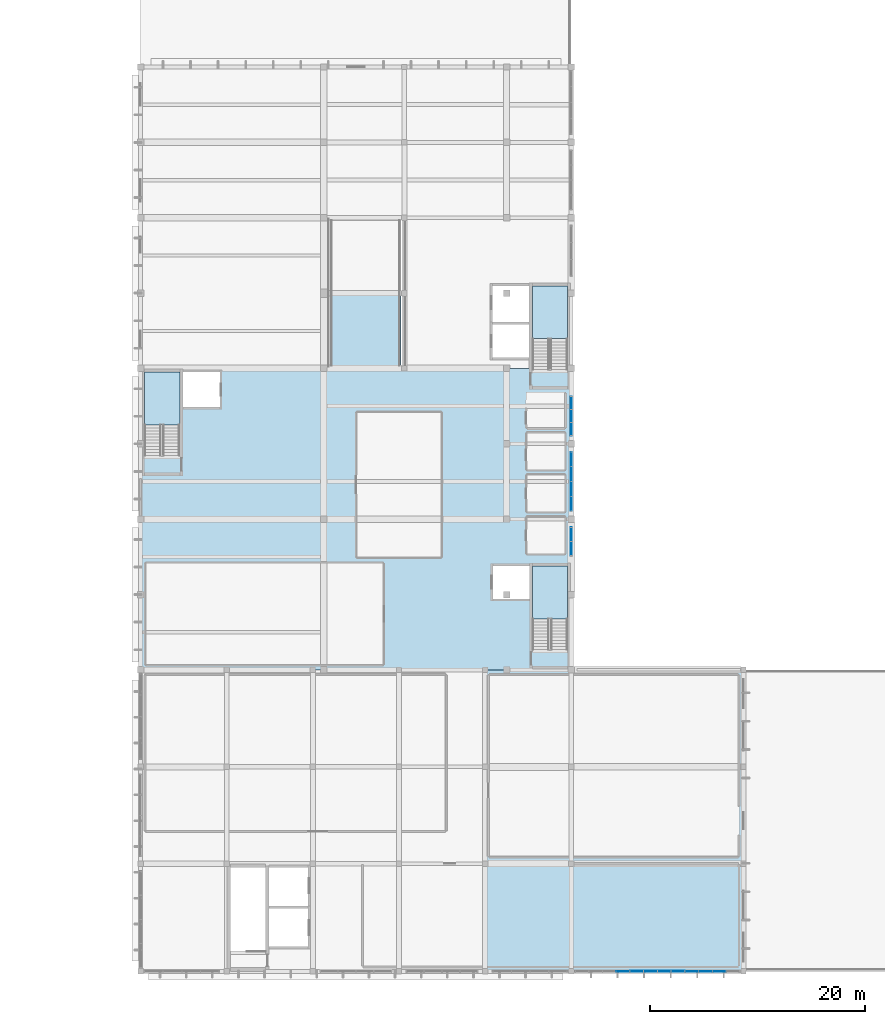
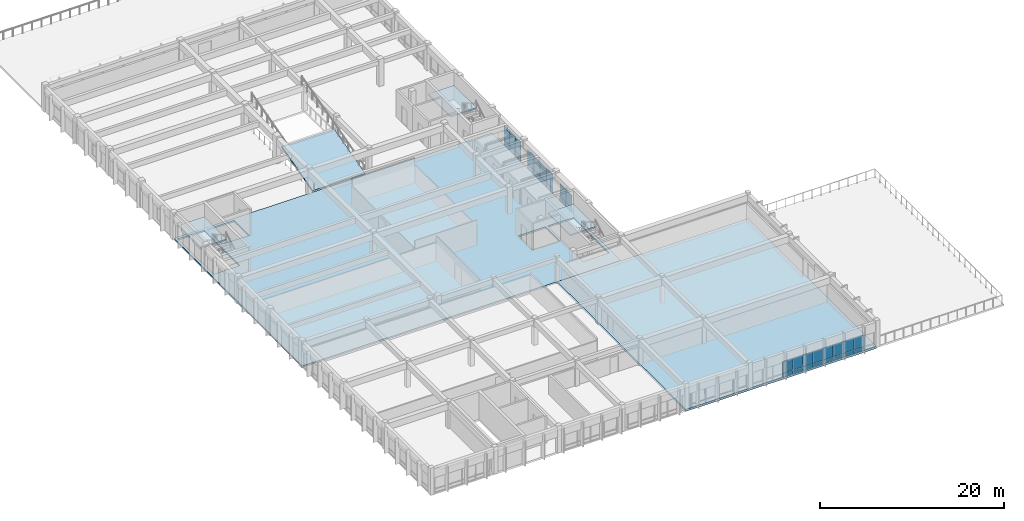
# One storey, part 18 of 33: 34 plates, 6 slabs, 9 elements without a shape of their own.
"""IFC4 building model written with IfcOpenShell, lengths in metres."""

from ifc_helpers import new_model, si_unit, direction, frame, origin, origin_2d, place, context, subcontext, project, spatial, polyline, rectangle, outline, extrude, material, layer, layer_set, type_object, element, aggregate, save


model = new_model("IFC4")

# Units and contexts
model_context = context("Model", 3, precision=1e-05, world=origin(), true_north=direction((0.0, 1.0)))
body_context = subcontext(model_context, "Body", "Model", "MODEL_VIEW")
ifc_project = project(units=[si_unit("LENGTHUNIT", "METRE"), si_unit("AREAUNIT", "SQUARE_METRE"), si_unit("VOLUMEUNIT", "CUBIC_METRE"), si_unit("PLANEANGLEUNIT", "RADIAN"), si_unit("MASSUNIT", "GRAM", prefix="KILO")], contexts=[model_context])

# Site, building, storey
site_placement = place(None, origin())
site = spatial("IfcSite", under=ifc_project, at=site_placement, CompositionType="ELEMENT")
building_placement = place(site_placement, origin())
building = spatial("IfcBuilding", under=site, at=building_placement, Name="Larkveld Mobility Hub", CompositionType="ELEMENT")
storey_placement = place(building_placement, frame((0.0, 0.0, 15.60009765625)))
storey = spatial("IfcBuildingStorey", under=building, at=storey_placement, Name="L04", CompositionType="ELEMENT", Elevation=15.60009765625)

# Curtain wall, plates
ifc_material_1 = material(Name="Anodised aluminium 6063-T6", Category="aluminium")
curtain_wall_type_1 = type_object("IfcCurtainWallType", Name="CW-SYS-10", PredefinedType="NOTDEFINED", material=ifc_material_1)
curtain_wall_1_placement = place(storey_placement, origin())
curtain_wall_1 = element("IfcCurtainWall", 1, at=curtain_wall_1_placement, inside=storey, type_object=curtain_wall_type_1, Name="Service Wing South Glazing L04 CW-130", PredefinedType="NOTDEFINED")
ifc_material_2 = material(Name="Low-E laminated solar-control double glazing", Category="glass")
ifc_layer_1 = layer(ifc_material_2, 0.028076171875, Name="Low-E laminated solar-control double glazing", Category="glass")
ifc_layer_set_1 = layer_set([ifc_layer_1], Name="Low-E laminated solar-control double glazing")
plate_type_1 = type_object("IfcPlateType", Name="CW-PNL-GL01", PredefinedType="CURTAIN_PANEL", material=ifc_layer_set_1)
plate_1_placement = place(storey_placement, frame((158.097900390625, 0.0, 0.5263671875), z_axis=(0.0, 0.0, 1.0), x_axis=(1.0, 0.0, 0.0)))
plate_1 = element("IfcPlate", 2, at=plate_1_placement, type_object=plate_type_1, Name="CW10 panel 1", PredefinedType="CURTAIN_PANEL", context=body_context, shape_type="SweptSolid", body=[
    extrude(rectangle(XDim=1.2451171875, YDim=0.028076171875, at=origin_2d()), origin(), (0.0, 0.0, 1.0), 1.551025390625),
])
plate_2_placement = place(storey_placement, frame((159.363037109375, 0.0, 0.5263671875), z_axis=(0.0, 0.0, 1.0), x_axis=(1.0, 0.0, 0.0)))
plate_2 = element("IfcPlate", 3, at=plate_2_placement, type_object=plate_type_1, Name="CW10 panel 2", PredefinedType="CURTAIN_PANEL", context=body_context, shape_type="SweptSolid", body=[
    extrude(rectangle(XDim=1.264892578125, YDim=0.028076171875, at=origin_2d()), origin(), (0.0, 0.0, 1.0), 1.551025390625),
])
plate_3_placement = place(storey_placement, frame((160.636962890625, 0.0, 0.5263671875), z_axis=(0.0, 0.0, 1.0), x_axis=(1.0, 0.0, 0.0)))
plate_3 = element("IfcPlate", 4, at=plate_3_placement, type_object=plate_type_1, Name="CW10 panel 3", PredefinedType="CURTAIN_PANEL", context=body_context, shape_type="SweptSolid", body=[
    extrude(rectangle(XDim=1.264892578125, YDim=0.028076171875, at=origin_2d()), origin(), (0.0, 0.0, 1.0), 1.551025390625),
])
plate_4_placement = place(storey_placement, frame((161.902099609375, 0.0, 0.5263671875), z_axis=(0.0, 0.0, 1.0), x_axis=(1.0, 0.0, 0.0)))
plate_4 = element("IfcPlate", 5, at=plate_4_placement, type_object=plate_type_1, Name="CW10 panel 4", PredefinedType="CURTAIN_PANEL", context=body_context, shape_type="SweptSolid", body=[
    extrude(rectangle(XDim=1.2451171875, YDim=0.028076171875, at=origin_2d()), origin(), (0.0, 0.0, 1.0), 1.551025390625),
])

curtain_wall_type_2 = type_object("IfcCurtainWallType", Name="CW-SYS-01", PredefinedType="NOTDEFINED", material=ifc_material_1)
curtain_wall_2_placement = place(storey_placement, origin())
curtain_wall_2 = element("IfcCurtainWall", 6, at=curtain_wall_2_placement, inside=storey, type_object=curtain_wall_type_2, Name="Upper Mobility and Sports East Glazing L04 CW-157", PredefinedType="NOTDEFINED")
plate_5_placement = place(storey_placement, frame((152.0, 50.364013671875, 0.6640625), z_axis=(0.0, 0.0, 1.0), x_axis=(0.0, 1.0, 0.0)))
plate_5 = element("IfcPlate", 7, at=plate_5_placement, type_object=plate_type_1, Name="CW01 panel 1", PredefinedType="CURTAIN_PANEL", context=body_context, shape_type="SweptSolid", body=[
    extrude(rectangle(XDim=1.197021484375, YDim=0.028076171875, at=origin_2d()), origin(), (0.0, 0.0, 1.0), 1.964111328125),
])
plate_6_placement = place(storey_placement, frame((152.0, 51.580078125, 0.6640625), z_axis=(0.0, 0.0, 1.0), x_axis=(0.0, 1.0, 0.0)))
plate_6 = element("IfcPlate", 8, at=plate_6_placement, type_object=plate_type_1, Name="CW01 panel 2", PredefinedType="CURTAIN_PANEL", context=body_context, shape_type="SweptSolid", body=[
    extrude(rectangle(XDim=1.217041015625, YDim=0.028076171875, at=origin_2d()), origin(), (0.0, 0.0, 1.0), 1.964111328125),
])
plate_7_placement = place(storey_placement, frame((152.0, 52.7958984375, 0.6640625), z_axis=(0.0, 0.0, 1.0), x_axis=(0.0, 1.0, 0.0)))
plate_7 = element("IfcPlate", 9, at=plate_7_placement, type_object=plate_type_1, Name="CW01 panel 3", PredefinedType="CURTAIN_PANEL", context=body_context, shape_type="SweptSolid", body=[
    extrude(rectangle(XDim=1.197021484375, YDim=0.028076171875, at=origin_2d()), origin(), (0.0, 0.0, 1.0), 1.964111328125),
])

curtain_wall_type_3 = type_object("IfcCurtainWallType", Name="CW-SYS-11", PredefinedType="NOTDEFINED", material=ifc_material_1)
curtain_wall_3_placement = place(storey_placement, origin())
curtain_wall_3 = element("IfcCurtainWall", 10, at=curtain_wall_3_placement, inside=storey, type_object=curtain_wall_type_3, Name="Service Wing South Glazing L04 CW-131", PredefinedType="NOTDEFINED")
ifc_material_3 = material(Name="Acoustic solar-control laminated double glazing", Category="glass")
ifc_layer_2 = layer(ifc_material_3, 0.031982421875, Name="Acoustic solar-control laminated double glazing", Category="glass")
ifc_layer_set_2 = layer_set([ifc_layer_2], Name="Acoustic solar-control laminated double glazing")
plate_type_2 = type_object("IfcPlateType", Name="CW-PNL-GL02", PredefinedType="CURTAIN_PANEL", material=ifc_layer_set_2)
plate_8_placement = place(storey_placement, frame((163.197021484375, 0.0, 0.5263671875), z_axis=(0.0, 0.0, 1.0), x_axis=(1.0, 0.0, 0.0)))
plate_8 = element("IfcPlate", 11, at=plate_8_placement, type_object=plate_type_2, Name="CW11 panel 1", PredefinedType="CURTAIN_PANEL", context=body_context, shape_type="SweptSolid", body=[
    extrude(rectangle(XDim=1.2451171875, YDim=0.031982421875, at=origin_2d()), origin(), (0.0, 0.0, 1.0), 1.551025390625),
])
plate_9_placement = place(storey_placement, frame((164.462890625, 0.0, 0.5263671875), z_axis=(0.0, 0.0, 1.0), x_axis=(1.0, 0.0, 0.0)))
plate_9 = element("IfcPlate", 12, at=plate_9_placement, type_object=plate_type_2, Name="CW11 panel 2", PredefinedType="CURTAIN_PANEL", context=body_context, shape_type="SweptSolid", body=[
    extrude(rectangle(XDim=1.264892578125, YDim=0.031982421875, at=origin_2d()), origin(), (0.0, 0.0, 1.0), 1.551025390625),
])
plate_10_placement = place(storey_placement, frame((165.738037109375, 0.0, 0.5263671875), z_axis=(0.0, 0.0, 1.0), x_axis=(1.0, 0.0, 0.0)))
plate_10 = element("IfcPlate", 13, at=plate_10_placement, type_object=plate_type_2, Name="CW11 panel 3", PredefinedType="CURTAIN_PANEL", context=body_context, shape_type="SweptSolid", body=[
    extrude(rectangle(XDim=1.264892578125, YDim=0.031982421875, at=origin_2d()), origin(), (0.0, 0.0, 1.0), 1.551025390625),
])

curtain_wall_4_placement = place(storey_placement, origin())
curtain_wall_4 = element("IfcCurtainWall", 14, at=curtain_wall_4_placement, inside=storey, type_object=curtain_wall_type_3, Name="Upper Mobility and Sports East Glazing L04 CW-155", PredefinedType="NOTDEFINED")
plate_11_placement = place(storey_placement, frame((152.0, 39.260009765625, 0.564453125), z_axis=(0.0, 0.0, 1.0), x_axis=(0.0, 1.0, 0.0)))
plate_11 = element("IfcPlate", 15, at=plate_11_placement, type_object=plate_type_2, Name="CW11 panel 1", PredefinedType="CURTAIN_PANEL", context=body_context, shape_type="SweptSolid", body=[
    extrude(rectangle(XDim=1.31005859375, YDim=0.031982421875, at=origin_2d()), origin(), (0.0, 0.0, 1.0), 1.6630859375),
])
plate_12_placement = place(storey_placement, frame((152.0, 40.580078125, 0.564453125), z_axis=(0.0, 0.0, 1.0), x_axis=(0.0, 1.0, 0.0)))
plate_12 = element("IfcPlate", 16, at=plate_12_placement, type_object=plate_type_2, Name="CW11 panel 2", PredefinedType="CURTAIN_PANEL", context=body_context, shape_type="SweptSolid", body=[
    extrude(rectangle(XDim=1.31005859375, YDim=0.031982421875, at=origin_2d()), origin(), (0.0, 0.0, 1.0), 1.6630859375),
])

# Curtain wall, plate
curtain_wall_type_4 = type_object("IfcCurtainWallType", Name="CW-SYS-09", PredefinedType="NOTDEFINED", material=ifc_material_1)
curtain_wall_5_placement = place(storey_placement, origin())
curtain_wall_5 = element("IfcCurtainWall", 17, at=curtain_wall_5_placement, inside=storey, type_object=curtain_wall_type_4, Name="Service Wing South Glazing L04 CW-129", PredefinedType="NOTDEFINED")
ifc_material_4 = material(Name="Tinted safety double glazing", Category="glass")
ifc_layer_3 = layer(ifc_material_4, 0.035888671875, Name="Tinted safety double glazing", Category="glass")
ifc_layer_set_3 = layer_set([ifc_layer_3], Name="Tinted safety double glazing")
plate_type_3 = type_object("IfcPlateType", Name="CW-PNL-GL03", PredefinedType="CURTAIN_PANEL", material=ifc_layer_set_3)
plate_13_placement = place(storey_placement, frame((156.802978515625, 0.0, 0.5263671875), z_axis=(0.0, 0.0, 1.0), x_axis=(1.0, 0.0, 0.0)))
plate_13 = element("IfcPlate", 18, at=plate_13_placement, type_object=plate_type_3, Name="CW09 panel 4", PredefinedType="CURTAIN_PANEL", context=body_context, shape_type="SweptSolid", body=[
    extrude(rectangle(XDim=1.2451171875, YDim=0.035888671875, at=origin_2d()), origin(), (0.0, 0.0, 1.0), 1.551025390625),
])

# Curtain wall, plates
curtain_wall_type_5 = type_object("IfcCurtainWallType", Name="CW-SYS-12", PredefinedType="NOTDEFINED", material=ifc_material_1)
curtain_wall_6_placement = place(storey_placement, origin())
curtain_wall_6 = element("IfcCurtainWall", 19, at=curtain_wall_6_placement, inside=storey, type_object=curtain_wall_type_5, Name="Upper Mobility and Sports East Glazing L04 CW-156", PredefinedType="NOTDEFINED")
plate_14_placement = place(storey_placement, frame((152.0, 43.43994140625, 0.62646484375), z_axis=(0.0, 0.0, 1.0), x_axis=(0.0, 1.0, 0.0)))
plate_14 = element("IfcPlate", 20, at=plate_14_placement, type_object=plate_type_3, Name="CW12 panel 1", PredefinedType="CURTAIN_PANEL", context=body_context, shape_type="SweptSolid", body=[
    extrude(rectangle(XDim=1.35009765625, YDim=0.035888671875, at=origin_2d()), origin(), (0.0, 0.0, 1.0), 1.85107421875),
])
plate_15_placement = place(storey_placement, frame((152.0, 44.81005859375, 0.62646484375), z_axis=(0.0, 0.0, 1.0), x_axis=(0.0, 1.0, 0.0)))
plate_15 = element("IfcPlate", 21, at=plate_15_placement, type_object=plate_type_3, Name="CW12 panel 2", PredefinedType="CURTAIN_PANEL", context=body_context, shape_type="SweptSolid", body=[
    extrude(rectangle(XDim=1.3701171875, YDim=0.035888671875, at=origin_2d()), origin(), (0.0, 0.0, 1.0), 1.85107421875),
])
plate_16_placement = place(storey_placement, frame((152.0, 46.18994140625, 0.62646484375), z_axis=(0.0, 0.0, 1.0), x_axis=(0.0, 1.0, 0.0)))
plate_16 = element("IfcPlate", 22, at=plate_16_placement, type_object=plate_type_3, Name="CW12 panel 3", PredefinedType="CURTAIN_PANEL", context=body_context, shape_type="SweptSolid", body=[
    extrude(rectangle(XDim=1.3701171875, YDim=0.035888671875, at=origin_2d()), origin(), (0.0, 0.0, 1.0), 1.85107421875),
])
plate_17_placement = place(storey_placement, frame((152.0, 47.56005859375, 0.62646484375), z_axis=(0.0, 0.0, 1.0), x_axis=(0.0, 1.0, 0.0)))
plate_17 = element("IfcPlate", 23, at=plate_17_placement, type_object=plate_type_3, Name="CW12 panel 4", PredefinedType="CURTAIN_PANEL", context=body_context, shape_type="SweptSolid", body=[
    extrude(rectangle(XDim=1.35009765625, YDim=0.035888671875, at=origin_2d()), origin(), (0.0, 0.0, 1.0), 1.85107421875),
])

# Plate
ifc_material_5 = material(Name="Insulated fluoropolymer aluminium spandrel", Category="aluminium")
ifc_layer_4 = layer(ifc_material_5, 0.06494140625, Name="Insulated fluoropolymer aluminium spandrel", Category="aluminium")
ifc_layer_set_4 = layer_set([ifc_layer_4], Name="Insulated fluoropolymer aluminium spandrel")
plate_type_4 = type_object("IfcPlateType", Name="CW-PNL-SP01", PredefinedType="CURTAIN_PANEL", material=ifc_layer_set_4)
plate_18_placement = place(storey_placement, frame((156.802978515625, 0.0, -0.00048828125), z_axis=(0.0, 0.0, 1.0), x_axis=(1.0, 0.0, 0.0)))
plate_18 = element("IfcPlate", 24, at=plate_18_placement, type_object=plate_type_4, Name="CW09 spandrel 4", PredefinedType="CURTAIN_PANEL", context=body_context, shape_type="SweptSolid", body=[
    extrude(rectangle(XDim=1.2451171875, YDim=0.06494140625, at=origin_2d()), origin(), (0.0, 0.0, 1.0), 0.514892578125),
])

aggregate(curtain_wall_5, [plate_18, plate_13])

plate_19_placement = place(storey_placement, frame((163.197021484375, 0.0, -0.00048828125), z_axis=(0.0, 0.0, 1.0), x_axis=(1.0, 0.0, 0.0)))
plate_19 = element("IfcPlate", 25, at=plate_19_placement, type_object=plate_type_4, Name="CW11 spandrel 1", PredefinedType="CURTAIN_PANEL", context=body_context, shape_type="SweptSolid", body=[
    extrude(rectangle(XDim=1.2451171875, YDim=0.06494140625, at=origin_2d()), origin(), (0.0, 0.0, 1.0), 0.514892578125),
])

plate_20_placement = place(storey_placement, frame((164.462890625, 0.0, -0.00048828125), z_axis=(0.0, 0.0, 1.0), x_axis=(1.0, 0.0, 0.0)))
plate_20 = element("IfcPlate", 26, at=plate_20_placement, type_object=plate_type_4, Name="CW11 spandrel 2", PredefinedType="CURTAIN_PANEL", context=body_context, shape_type="SweptSolid", body=[
    extrude(rectangle(XDim=1.264892578125, YDim=0.06494140625, at=origin_2d()), origin(), (0.0, 0.0, 1.0), 0.514892578125),
])

plate_21_placement = place(storey_placement, frame((165.738037109375, 0.0, -0.00048828125), z_axis=(0.0, 0.0, 1.0), x_axis=(1.0, 0.0, 0.0)))
plate_21 = element("IfcPlate", 27, at=plate_21_placement, type_object=plate_type_4, Name="CW11 spandrel 3", PredefinedType="CURTAIN_PANEL", context=body_context, shape_type="SweptSolid", body=[
    extrude(rectangle(XDim=1.264892578125, YDim=0.06494140625, at=origin_2d()), origin(), (0.0, 0.0, 1.0), 0.514892578125),
])

aggregate(curtain_wall_3, [plate_19, plate_8, plate_20, plate_9, plate_21, plate_10])

plate_22_placement = place(storey_placement, frame((152.0, 39.260009765625, 0.0), z_axis=(0.0, 0.0, 1.0), x_axis=(0.0, 1.0, 0.0)))
plate_22 = element("IfcPlate", 28, at=plate_22_placement, type_object=plate_type_4, Name="CW11 spandrel 1", PredefinedType="CURTAIN_PANEL", context=body_context, shape_type="SweptSolid", body=[
    extrude(rectangle(XDim=1.31005859375, YDim=0.06494140625, at=origin_2d()), origin(), (0.0, 0.0, 1.0), 0.552001953125),
])

plate_23_placement = place(storey_placement, frame((152.0, 40.580078125, 0.0), z_axis=(0.0, 0.0, 1.0), x_axis=(0.0, 1.0, 0.0)))
plate_23 = element("IfcPlate", 29, at=plate_23_placement, type_object=plate_type_4, Name="CW11 spandrel 2", PredefinedType="CURTAIN_PANEL", context=body_context, shape_type="SweptSolid", body=[
    extrude(rectangle(XDim=1.31005859375, YDim=0.06494140625, at=origin_2d()), origin(), (0.0, 0.0, 1.0), 0.552001953125),
])

aggregate(curtain_wall_4, [plate_22, plate_11, plate_23, plate_12])

plate_24_placement = place(storey_placement, frame((152.0, 50.364013671875, 0.0), z_axis=(0.0, 0.0, 1.0), x_axis=(0.0, 1.0, 0.0)))
plate_24 = element("IfcPlate", 30, at=plate_24_placement, type_object=plate_type_4, Name="CW01 spandrel 1", PredefinedType="CURTAIN_PANEL", context=body_context, shape_type="SweptSolid", body=[
    extrude(rectangle(XDim=1.197021484375, YDim=0.06494140625, at=origin_2d()), origin(), (0.0, 0.0, 1.0), 0.652099609375),
])

plate_25_placement = place(storey_placement, frame((152.0, 51.580078125, 0.0), z_axis=(0.0, 0.0, 1.0), x_axis=(0.0, 1.0, 0.0)))
plate_25 = element("IfcPlate", 31, at=plate_25_placement, type_object=plate_type_4, Name="CW01 spandrel 2", PredefinedType="CURTAIN_PANEL", context=body_context, shape_type="SweptSolid", body=[
    extrude(rectangle(XDim=1.217041015625, YDim=0.06494140625, at=origin_2d()), origin(), (0.0, 0.0, 1.0), 0.652099609375),
])

plate_26_placement = place(storey_placement, frame((152.0, 52.7958984375, 0.0), z_axis=(0.0, 0.0, 1.0), x_axis=(0.0, 1.0, 0.0)))
plate_26 = element("IfcPlate", 32, at=plate_26_placement, type_object=plate_type_4, Name="CW01 spandrel 3", PredefinedType="CURTAIN_PANEL", context=body_context, shape_type="SweptSolid", body=[
    extrude(rectangle(XDim=1.197021484375, YDim=0.06494140625, at=origin_2d()), origin(), (0.0, 0.0, 1.0), 0.652099609375),
])

aggregate(curtain_wall_2, [plate_24, plate_5, plate_25, plate_6, plate_26, plate_7])

ifc_material_6 = material(Name="Insulated terracotta-toned aluminium spandrel", Category="masonry")
ifc_layer_5 = layer(ifc_material_6, 0.080078125, Name="Insulated terracotta-toned aluminium spandrel", Category="masonry")
ifc_layer_set_5 = layer_set([ifc_layer_5], Name="Insulated terracotta-toned aluminium spandrel")
plate_type_5 = type_object("IfcPlateType", Name="CW-PNL-SP02", PredefinedType="CURTAIN_PANEL", material=ifc_layer_set_5)
plate_27_placement = place(storey_placement, frame((158.097900390625, 0.0, -0.00048828125), z_axis=(0.0, 0.0, 1.0), x_axis=(1.0, 0.0, 0.0)))
plate_27 = element("IfcPlate", 33, at=plate_27_placement, type_object=plate_type_5, Name="CW10 spandrel 1", PredefinedType="CURTAIN_PANEL", context=body_context, shape_type="SweptSolid", body=[
    extrude(rectangle(XDim=1.2451171875, YDim=0.080078125, at=origin_2d()), origin(), (0.0, 0.0, 1.0), 0.514892578125),
])

plate_28_placement = place(storey_placement, frame((159.363037109375, 0.0, -0.00048828125), z_axis=(0.0, 0.0, 1.0), x_axis=(1.0, 0.0, 0.0)))
plate_28 = element("IfcPlate", 34, at=plate_28_placement, type_object=plate_type_5, Name="CW10 spandrel 2", PredefinedType="CURTAIN_PANEL", context=body_context, shape_type="SweptSolid", body=[
    extrude(rectangle(XDim=1.264892578125, YDim=0.080078125, at=origin_2d()), origin(), (0.0, 0.0, 1.0), 0.514892578125),
])

plate_29_placement = place(storey_placement, frame((160.636962890625, 0.0, -0.00048828125), z_axis=(0.0, 0.0, 1.0), x_axis=(1.0, 0.0, 0.0)))
plate_29 = element("IfcPlate", 35, at=plate_29_placement, type_object=plate_type_5, Name="CW10 spandrel 3", PredefinedType="CURTAIN_PANEL", context=body_context, shape_type="SweptSolid", body=[
    extrude(rectangle(XDim=1.264892578125, YDim=0.080078125, at=origin_2d()), origin(), (0.0, 0.0, 1.0), 0.514892578125),
])

plate_30_placement = place(storey_placement, frame((161.902099609375, 0.0, -0.00048828125), z_axis=(0.0, 0.0, 1.0), x_axis=(1.0, 0.0, 0.0)))
plate_30 = element("IfcPlate", 36, at=plate_30_placement, type_object=plate_type_5, Name="CW10 spandrel 4", PredefinedType="CURTAIN_PANEL", context=body_context, shape_type="SweptSolid", body=[
    extrude(rectangle(XDim=1.2451171875, YDim=0.080078125, at=origin_2d()), origin(), (0.0, 0.0, 1.0), 0.514892578125),
])

aggregate(curtain_wall_1, [plate_27, plate_1, plate_28, plate_2, plate_29, plate_3, plate_30, plate_4])

plate_31_placement = place(storey_placement, frame((152.0, 43.43994140625, -0.00048828125), z_axis=(0.0, 0.0, 1.0), x_axis=(0.0, 1.0, 0.0)))
plate_31 = element("IfcPlate", 37, at=plate_31_placement, type_object=plate_type_5, Name="CW12 spandrel 1", PredefinedType="CURTAIN_PANEL", context=body_context, shape_type="SweptSolid", body=[
    extrude(rectangle(XDim=1.35009765625, YDim=0.080078125, at=origin_2d()), origin(), (0.0, 0.0, 1.0), 0.614990234375),
])

plate_32_placement = place(storey_placement, frame((152.0, 44.81005859375, -0.00048828125), z_axis=(0.0, 0.0, 1.0), x_axis=(0.0, 1.0, 0.0)))
plate_32 = element("IfcPlate", 38, at=plate_32_placement, type_object=plate_type_5, Name="CW12 spandrel 2", PredefinedType="CURTAIN_PANEL", context=body_context, shape_type="SweptSolid", body=[
    extrude(rectangle(XDim=1.3701171875, YDim=0.080078125, at=origin_2d()), origin(), (0.0, 0.0, 1.0), 0.614990234375),
])

plate_33_placement = place(storey_placement, frame((152.0, 46.18994140625, -0.00048828125), z_axis=(0.0, 0.0, 1.0), x_axis=(0.0, 1.0, 0.0)))
plate_33 = element("IfcPlate", 39, at=plate_33_placement, type_object=plate_type_5, Name="CW12 spandrel 3", PredefinedType="CURTAIN_PANEL", context=body_context, shape_type="SweptSolid", body=[
    extrude(rectangle(XDim=1.3701171875, YDim=0.080078125, at=origin_2d()), origin(), (0.0, 0.0, 1.0), 0.614990234375),
])

plate_34_placement = place(storey_placement, frame((152.0, 47.56005859375, -0.00048828125), z_axis=(0.0, 0.0, 1.0), x_axis=(0.0, 1.0, 0.0)))
plate_34 = element("IfcPlate", 40, at=plate_34_placement, type_object=plate_type_5, Name="CW12 spandrel 4", PredefinedType="CURTAIN_PANEL", context=body_context, shape_type="SweptSolid", body=[
    extrude(rectangle(XDim=1.35009765625, YDim=0.080078125, at=origin_2d()), origin(), (0.0, 0.0, 1.0), 0.614990234375),
])

aggregate(curtain_wall_6, [plate_31, plate_14, plate_32, plate_15, plate_33, plate_16, plate_34, plate_17])

# Slab
ifc_material_7 = material(Name="Concrete C40/50", Category="concrete")
ifc_layer_6 = layer(ifc_material_7, 0.215087890625, Name="Concrete C40/50", Category="concrete")
ifc_layer_set_6 = layer_set([ifc_layer_6], Name="Concrete C40/50")
slab_type_1 = type_object("IfcSlabType", Name="SL-DT-215", PredefinedType="FLOOR", material=ifc_layer_set_6)
slab_1_placement = place(storey_placement, frame((0.0, 0.0, -0.215087890625)))
element("IfcSlab", 41, at=slab_1_placement, inside=storey, type_object=slab_type_1, Name="EV Wing and Sports Pavilion Slab L04-148", PredefinedType="FLOOR", context=body_context, shape_type="SweptSolid", body=[
    extrude(outline(polyline([(112.0, 28.0), (152.0, 28.0), (152.0, 56.0), (112.0, 56.0), (112.0, 28.0)]), holes=[polyline([(148.39990234375, 29.89990234375), (148.39990234375, 37.64990234375), (151.64990234375, 37.64990234375), (151.64990234375, 29.89990234375), (148.39990234375, 29.89990234375)]), polyline([(144.719970703125, 34.60009765625), (144.719970703125, 37.64990234375), (148.1201171875, 37.64990234375), (148.1201171875, 34.60009765625), (144.719970703125, 34.60009765625)]), polyline([(112.35009765625, 47.919921875), (112.35009765625, 55.64990234375), (115.639892578125, 55.64990234375), (115.639892578125, 47.919921875), (112.35009765625, 47.919921875)]), polyline([(115.9599609375, 52.39990234375), (115.9599609375, 55.64990234375), (119.360107421875, 55.64990234375), (119.360107421875, 52.39990234375), (115.9599609375, 52.39990234375)])]), origin(), (0.0, 0.0, 1.0), 0.215087890625),
])

# Stair, slab
stair_type_1 = type_object("IfcStairType", Name="ST-HT-01", PredefinedType="HALF_TURN_STAIR", material=ifc_material_7)
stair_1_placement = place(storey_placement, origin())
stair_1 = element("IfcStair", 42, at=stair_1_placement, inside=storey, type_object=stair_type_1, Name="L04 Protected Escape Stair ST1", PredefinedType="HALF_TURN_STAIR")
ifc_layer_7 = layer(ifc_material_7, 0.175048828125, Name="Concrete C40/50", Category="concrete")
ifc_layer_set_7 = layer_set([ifc_layer_7], Name="Concrete C40/50")
slab_type_2 = type_object("IfcSlabType", Name="SL-LND-01", PredefinedType="LANDING", material=ifc_layer_set_7)
slab_2_placement = place(storey_placement, frame((0.0, 0.0, 1.625)))
slab_2 = element("IfcSlab", 43, at=slab_2_placement, type_object=slab_type_2, Name="ST1 landing 1", PredefinedType="LANDING", context=body_context, shape_type="SweptSolid", body=[
    extrude(outline(polyline([(151.64990234375, 32.75), (151.64990234375, 37.64990234375), (148.39990234375, 37.64990234375), (148.39990234375, 32.75), (151.64990234375, 32.75)])), origin(), (0.0, 0.0, 1.0), 0.1748046875),
])
aggregate(stair_1, [slab_2])

stair_type_2 = type_object("IfcStairType", Name="ST-HT-02", PredefinedType="HALF_TURN_STAIR", material=ifc_material_7)
stair_2_placement = place(storey_placement, origin())
stair_2 = element("IfcStair", 44, at=stair_2_placement, inside=storey, type_object=stair_type_2, Name="L04 Protected Escape Stair ST2", PredefinedType="HALF_TURN_STAIR")
ifc_layer_8 = layer(ifc_material_7, 0.18505859375, Name="Concrete C40/50", Category="concrete")
ifc_layer_set_8 = layer_set([ifc_layer_8], Name="Concrete C40/50")
slab_type_3 = type_object("IfcSlabType", Name="SL-LND-02", PredefinedType="LANDING", material=ifc_layer_set_8)
slab_3_placement = place(storey_placement, frame((0.0, 0.0, 1.614990234375)))
slab_3 = element("IfcSlab", 45, at=slab_3_placement, type_object=slab_type_3, Name="ST2 landing 1", PredefinedType="LANDING", context=body_context, shape_type="SweptSolid", body=[
    extrude(outline(polyline([(151.64990234375, 58.760009765625), (151.64990234375, 63.64990234375), (148.3798828125, 63.64990234375), (148.3798828125, 58.760009765625), (151.64990234375, 58.760009765625)])), origin(), (0.0, 0.0, 1.0), 0.184814453125),
])
aggregate(stair_2, [slab_3])

stair_type_3 = type_object("IfcStairType", Name="ST-HT-03", PredefinedType="HALF_TURN_STAIR", material=ifc_material_7)
stair_3_placement = place(storey_placement, origin())
stair_3 = element("IfcStair", 46, at=stair_3_placement, inside=storey, type_object=stair_type_3, Name="L04 Protected Escape Stair ST3", PredefinedType="HALF_TURN_STAIR")
ifc_layer_9 = layer(ifc_material_7, 0.195068359375, Name="Concrete C40/50", Category="concrete")
ifc_layer_set_9 = layer_set([ifc_layer_9], Name="Concrete C40/50")
slab_type_4 = type_object("IfcSlabType", Name="SL-LND-03", PredefinedType="LANDING", material=ifc_layer_set_9)
slab_4_placement = place(storey_placement, frame((0.0, 0.0, 1.60498046875)))
slab_4 = element("IfcSlab", 47, at=slab_4_placement, type_object=slab_type_4, Name="ST3 landing 1", PredefinedType="LANDING", context=body_context, shape_type="SweptSolid", body=[
    extrude(outline(polyline([(115.639892578125, 50.77001953125), (115.639892578125, 55.64990234375), (112.35009765625, 55.64990234375), (112.35009765625, 50.77001953125), (115.639892578125, 50.77001953125)])), origin(), (0.0, 0.0, 1.0), 0.19482421875),
])
aggregate(stair_3, [slab_4])

# Slabs
ifc_layer_10 = layer(ifc_material_7, 0.239990234375, Name="Concrete C40/50", Category="concrete")
ifc_layer_set_10 = layer_set([ifc_layer_10], Name="Concrete C40/50")
slab_type_5 = type_object("IfcSlabType", Name="SL-RMP-EV-240", PredefinedType="FLOOR", material=ifc_layer_set_10)
slab_5_placement = place(storey_placement, frame((129.60009765625, 56.25, 0.0), z_axis=(0.0, -0.257636548237, 0.966241899843), x_axis=(1.0, 0.0, 0.0)))
element("IfcSlab", 48, at=slab_5_placement, inside=storey, type_object=slab_type_5, Name="EV car park inter-deck vehicle ramp slab L04-1", PredefinedType="FLOOR", context=body_context, shape_type="SweptSolid", body=[
    extrude(outline(polyline([(0.0, 0.0), (6.599853515625, 0.0), (6.599853515625, 6.985828291129619), (0.0, 6.985828291129619), (0.0, 0.0)])), origin(), (0.0, 0.0, -1.0), 0.239990234375),
])
ifc_layer_11 = layer(ifc_material_7, 0.280029296875, Name="Concrete C40/50", Category="concrete")
ifc_layer_set_11 = layer_set([ifc_layer_11], Name="Concrete C40/50")
slab_type_6 = type_object("IfcSlabType", Name="SL-WKS-280", PredefinedType="FLOOR", material=ifc_layer_set_11)
slab_6_placement = place(storey_placement, frame((0.0, 0.0, -0.280029296875)))
element("IfcSlab", 49, at=slab_6_placement, inside=storey, type_object=slab_type_6, Name="Service Centre Slab L04-128", PredefinedType="FLOOR", context=body_context, shape_type="SweptSolid", body=[
    extrude(outline(polyline([(144.0, 0.0), (168.0, 0.0), (168.0, 28.0), (144.0, 28.0), (144.0, 0.0)])), origin(), (0.0, 0.0, 1.0), 0.280029296875),
])

save(model, "model.ifc")
